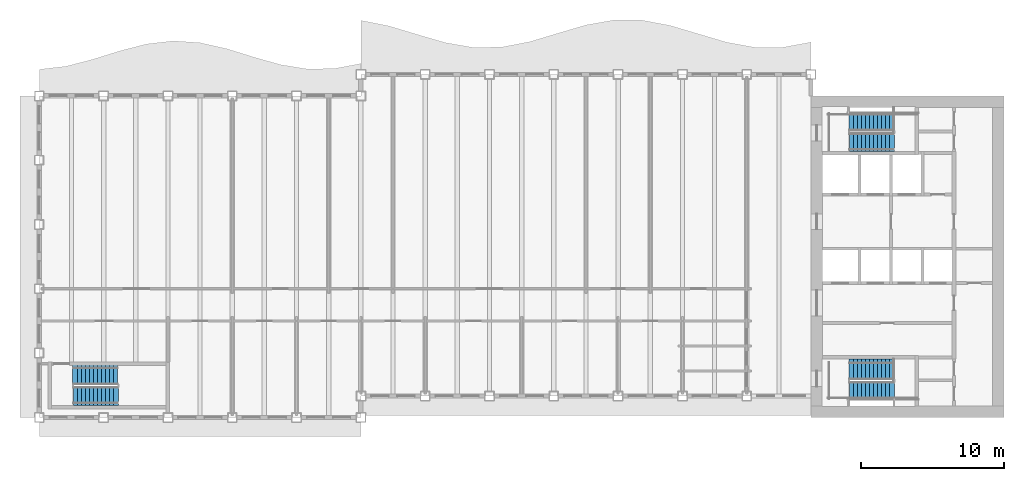
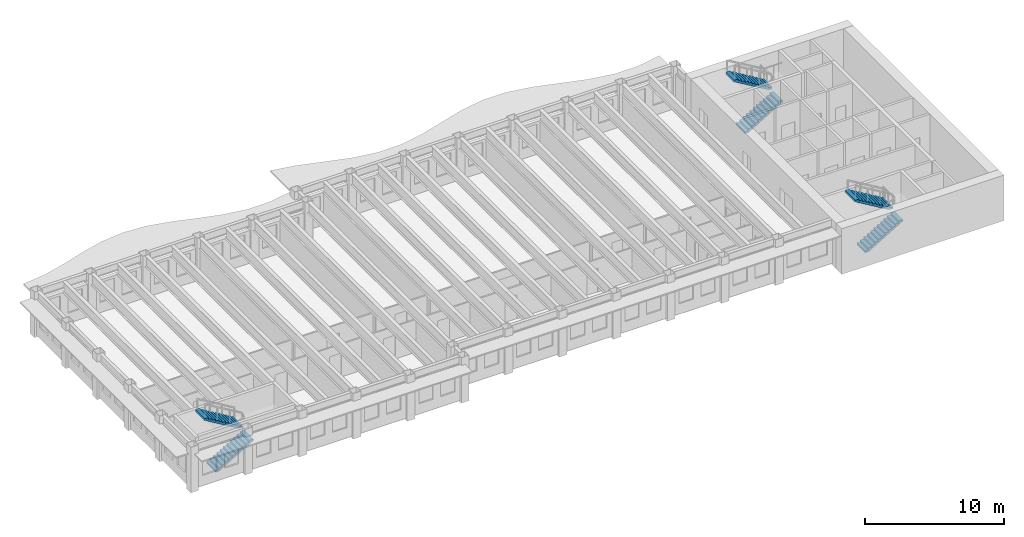
# One storey, part 7 of 12: 6 stair flights, 3 elements without a shape of their own.
"""IFC4 building model written with IfcOpenShell, lengths in metres."""

from ifc_helpers import new_model, si_unit, direction, frame, origin, place, context, subcontext, project, spatial, polyline, outline, extrude, material, type_object, element, aggregate, save


model = new_model("IFC4")

# Units and contexts
model_context = context("Model", 3, precision=1e-05, world=origin(), true_north=direction((0.0, 1.0)))
body_context = subcontext(model_context, "Body", "Model", "MODEL_VIEW")
ifc_project = project(units=[si_unit("LENGTHUNIT", "METRE"), si_unit("AREAUNIT", "SQUARE_METRE"), si_unit("VOLUMEUNIT", "CUBIC_METRE"), si_unit("PLANEANGLEUNIT", "RADIAN"), si_unit("MASSUNIT", "GRAM", prefix="KILO")], contexts=[model_context])

# Site, building, storey
site_placement = place(None, origin())
site = spatial("IfcSite", under=ifc_project, at=site_placement, CompositionType="ELEMENT")
building_placement = place(site_placement, origin())
building = spatial("IfcBuilding", under=site, at=building_placement, Name="Sennacour Bend Tower", CompositionType="ELEMENT")
storey_placement = place(building_placement, frame((0.0, 0.0, 273.0)))
storey = spatial("IfcBuildingStorey", under=building, at=storey_placement, Name="L63", CompositionType="ELEMENT", Elevation=273.0)

# Stair, stair flights
ifc_material = material(Name="Concrete C40/50", Category="concrete")
stair_type = type_object("IfcStairType", Name="ST-DOGLEG", PredefinedType="HALF_TURN_STAIR", material=ifc_material)
stair_1_placement = place(storey_placement, origin())
stair_1 = element("IfcStair", 1, at=stair_1_placement, inside=storey, type_object=stair_type, Name="L63 Exit stair A1", PredefinedType="HALF_TURN_STAIR")
stair_flight_type = type_object("IfcStairFlightType", Name="SFL-RC", PredefinedType="STRAIGHT", material=ifc_material)
stair_flight_1_placement = place(storey_placement, frame((56.699951171875, 1.89990234375, 0.0), z_axis=(0.0, 0.0, 1.0), x_axis=(1.0, 0.0, 0.0)))
stair_flight_1 = element("IfcStairFlight", 2, at=stair_flight_1_placement, type_object=stair_flight_type, Name="SA1 flight 1", NumberOfRisers=12, NumberOfTreads=11, PredefinedType="STRAIGHT", RiserHeight=0.166666667, TreadLength=0.28, context=body_context, shape_type="SweptSolid", body=[
    extrude(outline(polyline([(0.0, 0.0), (0.0, 0.166748046875), (0.280029296875, 0.166748046875), (0.280029296875, 0.333251953125), (0.56005859375, 0.333251953125), (0.56005859375, 0.5), (0.840087890625, 0.5), (0.840087890625, 0.666748046875), (1.1201171875, 0.666748046875), (1.1201171875, 0.833251953125), (1.39990234375, 0.833251953125), (1.39990234375, 1.0), (1.679931640625, 1.0), (1.679931640625, 1.166748046875), (1.9599609375, 1.166748046875), (1.9599609375, 1.333251953125), (2.239990234375, 1.333251953125), (2.239990234375, 1.5), (2.52001953125, 1.5), (2.52001953125, 1.666748046875), (2.800048828125, 1.666748046875), (2.800048828125, 1.833251953125), (3.080078125, 1.833251953125), (3.139892578125, 1.833251953125), (3.139892578125, 1.658935546875), (3.080078125, 1.658935546875), (0.29296875, 0.0), (0.0, 0.0)])), frame((0.0, 0.60009765625, 0.0), z_axis=(0.0, -1.0, 0.0), x_axis=(1.0, 0.0, 0.0)), (0.0, 0.0, 1.0), 1.199951171875),
])
stair_flight_2_placement = place(storey_placement, frame((59.780029296875, 3.37744140625, 2.0), z_axis=(0.0, 0.0, 1.0), x_axis=(-1.0, 0.0, 0.0)))
stair_flight_2 = element("IfcStairFlight", 3, at=stair_flight_2_placement, type_object=stair_flight_type, Name="SA1 flight 2", NumberOfRisers=12, NumberOfTreads=11, PredefinedType="STRAIGHT", RiserHeight=0.166666667, TreadLength=0.28, context=body_context, shape_type="SweptSolid", body=[
    extrude(outline(polyline([(0.0, 0.0), (0.0, 0.166748046875), (0.280029296875, 0.166748046875), (0.280029296875, 0.333251953125), (0.56005859375, 0.333251953125), (0.56005859375, 0.5), (0.840087890625, 0.5), (0.840087890625, 0.666748046875), (1.1201171875, 0.666748046875), (1.1201171875, 0.833251953125), (1.39990234375, 0.833251953125), (1.39990234375, 1.0), (1.679931640625, 1.0), (1.679931640625, 1.166748046875), (1.9599609375, 1.166748046875), (1.9599609375, 1.333251953125), (2.239990234375, 1.333251953125), (2.239990234375, 1.5), (2.52001953125, 1.5), (2.52001953125, 1.666748046875), (2.800048828125, 1.666748046875), (2.800048828125, 1.833251953125), (3.080078125, 1.833251953125), (3.139892578125, 1.833251953125), (3.139892578125, 1.658935546875), (3.080078125, 1.658935546875), (0.29296875, 0.0), (0.0, 0.0)])), frame((0.0, 0.7275390625, 0.0), z_axis=(0.0, -1.0, 0.0), x_axis=(1.0, 0.0, 0.0)), (0.0, 0.0, 1.0), 1.455078125),
])
aggregate(stair_1, [stair_flight_1, stair_flight_2])

stair_2_placement = place(storey_placement, origin())
stair_2 = element("IfcStair", 4, at=stair_2_placement, inside=storey, type_object=stair_type, Name="L63 Exit stair A2", PredefinedType="HALF_TURN_STAIR")
stair_flight_3_placement = place(storey_placement, frame((56.699951171875, 19.24755859375, 0.0), z_axis=(0.0, 0.0, 1.0), x_axis=(1.0, 0.0, 0.0)))
stair_flight_3 = element("IfcStairFlight", 5, at=stair_flight_3_placement, type_object=stair_flight_type, Name="SA2 flight 1", NumberOfRisers=12, NumberOfTreads=11, PredefinedType="STRAIGHT", RiserHeight=0.166666667, TreadLength=0.28, context=body_context, shape_type="SweptSolid", body=[
    extrude(outline(polyline([(0.0, 0.0), (0.0, 0.166748046875), (0.280029296875, 0.166748046875), (0.280029296875, 0.333251953125), (0.56005859375, 0.333251953125), (0.56005859375, 0.5), (0.840087890625, 0.5), (0.840087890625, 0.666748046875), (1.1201171875, 0.666748046875), (1.1201171875, 0.833251953125), (1.39990234375, 0.833251953125), (1.39990234375, 1.0), (1.679931640625, 1.0), (1.679931640625, 1.166748046875), (1.9599609375, 1.166748046875), (1.9599609375, 1.333251953125), (2.239990234375, 1.333251953125), (2.239990234375, 1.5), (2.52001953125, 1.5), (2.52001953125, 1.666748046875), (2.800048828125, 1.666748046875), (2.800048828125, 1.833251953125), (3.080078125, 1.833251953125), (3.139892578125, 1.833251953125), (3.139892578125, 1.658935546875), (3.080078125, 1.658935546875), (0.29296875, 0.0), (0.0, 0.0)])), frame((0.0, 0.65234375, 0.0), z_axis=(0.0, -1.0, 0.0), x_axis=(1.0, 0.0, 0.0)), (0.0, 0.0, 1.0), 1.304931640625),
])
stair_flight_4_placement = place(storey_placement, frame((59.780029296875, 20.64990234375, 2.0), z_axis=(0.0, 0.0, 1.0), x_axis=(-1.0, 0.0, 0.0)))
stair_flight_4 = element("IfcStairFlight", 6, at=stair_flight_4_placement, type_object=stair_flight_type, Name="SA2 flight 2", NumberOfRisers=12, NumberOfTreads=11, PredefinedType="STRAIGHT", RiserHeight=0.166666667, TreadLength=0.28, context=body_context, shape_type="SweptSolid", body=[
    extrude(outline(polyline([(0.0, 0.0), (0.0, 0.166748046875), (0.280029296875, 0.166748046875), (0.280029296875, 0.333251953125), (0.56005859375, 0.333251953125), (0.56005859375, 0.5), (0.840087890625, 0.5), (0.840087890625, 0.666748046875), (1.1201171875, 0.666748046875), (1.1201171875, 0.833251953125), (1.39990234375, 0.833251953125), (1.39990234375, 1.0), (1.679931640625, 1.0), (1.679931640625, 1.166748046875), (1.9599609375, 1.166748046875), (1.9599609375, 1.333251953125), (2.239990234375, 1.333251953125), (2.239990234375, 1.5), (2.52001953125, 1.5), (2.52001953125, 1.666748046875), (2.800048828125, 1.666748046875), (2.800048828125, 1.833251953125), (3.080078125, 1.833251953125), (3.139892578125, 1.833251953125), (3.139892578125, 1.658935546875), (3.080078125, 1.658935546875), (0.29296875, 0.0), (0.0, 0.0)])), frame((0.0, 0.60009765625, 0.0), z_axis=(0.0, -1.0, 0.0), x_axis=(1.0, 0.0, 0.0)), (0.0, 0.0, 1.0), 1.199951171875),
])
aggregate(stair_2, [stair_flight_3, stair_flight_4])

stair_3_placement = place(storey_placement, origin())
stair_3 = element("IfcStair", 7, at=stair_3_placement, inside=storey, type_object=stair_type, Name="L63 Exit stair K1", PredefinedType="HALF_TURN_STAIR")
stair_flight_5_placement = place(storey_placement, frame((2.39990234375, 1.485107421875, 0.0), z_axis=(0.0, 0.0, 1.0), x_axis=(1.0, 0.0, 0.0)))
stair_flight_5 = element("IfcStairFlight", 8, at=stair_flight_5_placement, type_object=stair_flight_type, Name="SK1 flight 1", NumberOfRisers=12, NumberOfTreads=11, PredefinedType="STRAIGHT", RiserHeight=0.166666667, TreadLength=0.28, context=body_context, shape_type="SweptSolid", body=[
    extrude(outline(polyline([(0.0, 0.0), (0.0, 0.166748046875), (0.280029296875, 0.166748046875), (0.280029296875, 0.333251953125), (0.56005859375, 0.333251953125), (0.56005859375, 0.5), (0.840087890625, 0.5), (0.840087890625, 0.666748046875), (1.1201171875, 0.666748046875), (1.1201171875, 0.833251953125), (1.39990234375, 0.833251953125), (1.39990234375, 1.0), (1.679931640625, 1.0), (1.679931640625, 1.166748046875), (1.9599609375, 1.166748046875), (1.9599609375, 1.333251953125), (2.239990234375, 1.333251953125), (2.239990234375, 1.5), (2.52001953125, 1.5), (2.52001953125, 1.666748046875), (2.800048828125, 1.666748046875), (2.800048828125, 1.833251953125), (3.080078125, 1.833251953125), (3.139892578125, 1.833251953125), (3.139892578125, 1.658935546875), (3.080078125, 1.658935546875), (0.29296875, 0.0), (0.0, 0.0)])), frame((0.0, 0.6650390625, 0.0), z_axis=(0.0, -1.0, 0.0), x_axis=(1.0, 0.0, 0.0)), (0.0, 0.0, 1.0), 1.330078125),
])
stair_flight_6_placement = place(storey_placement, frame((5.47998046875, 2.9775390625, 2.0), z_axis=(0.0, 0.0, 1.0), x_axis=(-1.0, 0.0, 0.0)))
stair_flight_6 = element("IfcStairFlight", 9, at=stair_flight_6_placement, type_object=stair_flight_type, Name="SK1 flight 2", NumberOfRisers=12, NumberOfTreads=11, PredefinedType="STRAIGHT", RiserHeight=0.166666667, TreadLength=0.28, context=body_context, shape_type="SweptSolid", body=[
    extrude(outline(polyline([(0.0, 0.0), (0.0, 0.166748046875), (0.280029296875, 0.166748046875), (0.280029296875, 0.333251953125), (0.56005859375, 0.333251953125), (0.56005859375, 0.5), (0.840087890625, 0.5), (0.840087890625, 0.666748046875), (1.1201171875, 0.666748046875), (1.1201171875, 0.833251953125), (1.39990234375, 0.833251953125), (1.39990234375, 1.0), (1.679931640625, 1.0), (1.679931640625, 1.166748046875), (1.9599609375, 1.166748046875), (1.9599609375, 1.333251953125), (2.239990234375, 1.333251953125), (2.239990234375, 1.5), (2.52001953125, 1.5), (2.52001953125, 1.666748046875), (2.800048828125, 1.666748046875), (2.800048828125, 1.833251953125), (3.080078125, 1.833251953125), (3.139892578125, 1.833251953125), (3.139892578125, 1.658935546875), (3.080078125, 1.658935546875), (0.29296875, 0.0), (0.0, 0.0)])), frame((0.0, 0.677490234375, 0.0), z_axis=(0.0, -1.0, 0.0), x_axis=(1.0, 0.0, 0.0)), (0.0, 0.0, 1.0), 1.35498046875),
])
aggregate(stair_3, [stair_flight_5, stair_flight_6])

save(model, "model.ifc")
